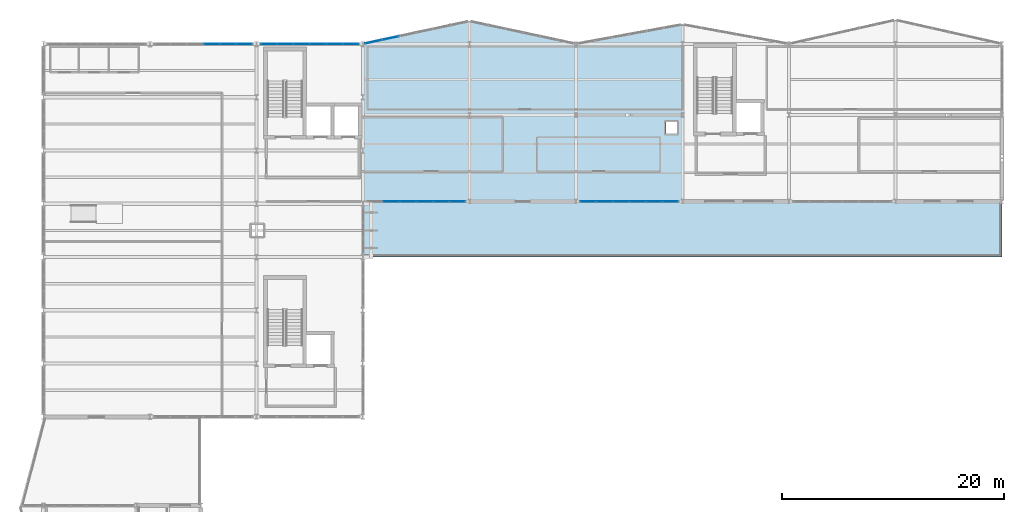
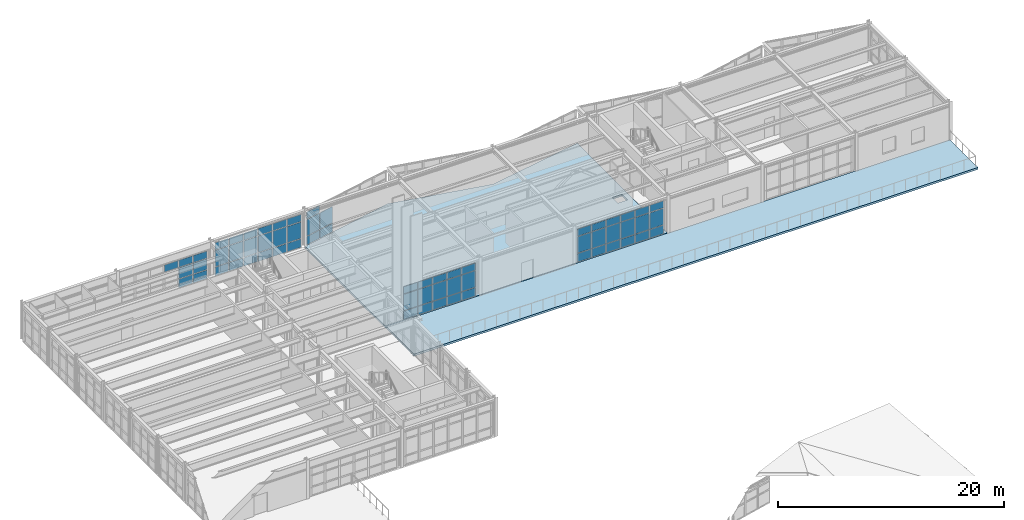
# One storey, part 34 of 47: 63 plates, 2 slabs, 5 elements without a shape of their own.
"""IFC4 building model written with IfcOpenShell, lengths in metres."""

from ifc_helpers import new_model, si_unit, direction, frame, origin, origin_2d, place, context, subcontext, project, spatial, polyline, rectangle, outline, extrude, material, layer, layer_set, type_object, element, aggregate, save


model = new_model("IFC4")

# Units and contexts
model_context = context("Model", 3, precision=1e-05, world=origin(), true_north=direction((0.0, 1.0)))
body_context = subcontext(model_context, "Body", "Model", "MODEL_VIEW")
ifc_project = project(units=[si_unit("LENGTHUNIT", "METRE"), si_unit("AREAUNIT", "SQUARE_METRE"), si_unit("VOLUMEUNIT", "CUBIC_METRE"), si_unit("PLANEANGLEUNIT", "RADIAN"), si_unit("MASSUNIT", "GRAM", prefix="KILO")], contexts=[model_context])

# Site, building, storey
site_placement = place(None, origin())
site = spatial("IfcSite", under=ifc_project, at=site_placement, CompositionType="ELEMENT")
building_placement = place(site_placement, origin())
building = spatial("IfcBuilding", under=site, at=building_placement, Name="Nordkorset Police Headquarters", CompositionType="ELEMENT")
storey_placement = place(building_placement, frame((0.0, 0.0, 22.050048828125)))
storey = spatial("IfcBuildingStorey", under=building, at=storey_placement, Name="L05", CompositionType="ELEMENT", Elevation=22.050048828125)

# Curtain wall, plates
ifc_material_1 = material(Name="Aluminium alloy AW-6060", Category="aluminium")
ifc_layer_1 = layer(ifc_material_1, 0.179931640625, Name="Aluminium alloy AW-6060")
ifc_layer_set_1 = layer_set([ifc_layer_1], Name="Aluminium alloy AW-6060")
curtain_wall_type_1 = type_object("IfcCurtainWallType", Name="CW_Unit_888x308", PredefinedType="USERDEFINED", material=ifc_layer_set_1)
curtain_wall_1_placement = place(storey_placement, origin())
curtain_wall_1 = element("IfcCurtainWall", 1, at=curtain_wall_1_placement, inside=storey, type_object=curtain_wall_type_1, Name="Unitised Curtain Wall L05 V1N-1", ObjectType="UNITISED CURTAIN WALL", PredefinedType="USERDEFINED")
ifc_material_2 = material(Name="Low-iron triple glazing", Category="glass")
ifc_layer_2 = layer(ifc_material_2, 0.035888671875, Name="Low-iron triple glazing")
ifc_layer_set_2 = layer_set([ifc_layer_2], Name="Low-iron triple glazing")
plate_type = type_object("IfcPlateType", Name="CW_Panel_TripleGlazing_36", PredefinedType="CURTAIN_PANEL", material=ifc_layer_set_2)
plate_1_placement = place(storey_placement, frame((15.139892578125, 116.800048828125, 2.262451171875), z_axis=(0.0, 0.0, 1.0), x_axis=(1.0, 0.0, 0.0)))
plate_1 = element("IfcPlate", 2, at=plate_1_placement, type_object=plate_type, Name="CW-81 panel 4.3", PredefinedType="CURTAIN_PANEL", context=body_context, shape_type="SweptSolid", body=[
    extrude(rectangle(XDim=1.4150390625, YDim=0.035888671875, at=origin_2d()), origin(), (0.0, 0.0, 1.0), 0.75244140625),
])
plate_2_placement = place(storey_placement, frame((16.6201171875, 116.800048828125, 0.06494140625), z_axis=(0.0, 0.0, 1.0), x_axis=(1.0, 0.0, 0.0)))
plate_2 = element("IfcPlate", 3, at=plate_2_placement, type_object=plate_type, Name="CW-81 panel 5.1", PredefinedType="CURTAIN_PANEL", context=body_context, shape_type="SweptSolid", body=[
    extrude(rectangle(XDim=1.4150390625, YDim=0.035888671875, at=origin_2d()), origin(), (0.0, 0.0, 1.0), 0.902587890625),
])
plate_3_placement = place(storey_placement, frame((16.6201171875, 116.800048828125, 1.032470703125), z_axis=(0.0, 0.0, 1.0), x_axis=(1.0, 0.0, 0.0)))
plate_3 = element("IfcPlate", 4, at=plate_3_placement, type_object=plate_type, Name="CW-81 panel 5.2", PredefinedType="CURTAIN_PANEL", context=body_context, shape_type="SweptSolid", body=[
    extrude(rectangle(XDim=1.4150390625, YDim=0.035888671875, at=origin_2d()), origin(), (0.0, 0.0, 1.0), 1.1650390625),
])
plate_4_placement = place(storey_placement, frame((16.6201171875, 116.800048828125, 2.262451171875), z_axis=(0.0, 0.0, 1.0), x_axis=(1.0, 0.0, 0.0)))
plate_4 = element("IfcPlate", 5, at=plate_4_placement, type_object=plate_type, Name="CW-81 panel 5.3", PredefinedType="CURTAIN_PANEL", context=body_context, shape_type="SweptSolid", body=[
    extrude(rectangle(XDim=1.4150390625, YDim=0.035888671875, at=origin_2d()), origin(), (0.0, 0.0, 1.0), 0.75244140625),
])
plate_5_placement = place(storey_placement, frame((18.083740234375, 116.800048828125, 0.06494140625), z_axis=(0.0, 0.0, 1.0), x_axis=(1.0, 0.0, 0.0)))
plate_5 = element("IfcPlate", 6, at=plate_5_placement, type_object=plate_type, Name="CW-81 panel 6.1", PredefinedType="CURTAIN_PANEL", context=body_context, shape_type="SweptSolid", body=[
    extrude(rectangle(XDim=1.382568359375, YDim=0.035888671875, at=origin_2d()), origin(), (0.0, 0.0, 1.0), 0.902587890625),
])
plate_6_placement = place(storey_placement, frame((18.083740234375, 116.800048828125, 1.032470703125), z_axis=(0.0, 0.0, 1.0), x_axis=(1.0, 0.0, 0.0)))
plate_6 = element("IfcPlate", 7, at=plate_6_placement, type_object=plate_type, Name="CW-81 panel 6.2", PredefinedType="CURTAIN_PANEL", context=body_context, shape_type="SweptSolid", body=[
    extrude(rectangle(XDim=1.382568359375, YDim=0.035888671875, at=origin_2d()), origin(), (0.0, 0.0, 1.0), 1.1650390625),
])
plate_7_placement = place(storey_placement, frame((18.083740234375, 116.800048828125, 2.262451171875), z_axis=(0.0, 0.0, 1.0), x_axis=(1.0, 0.0, 0.0)))
plate_7 = element("IfcPlate", 8, at=plate_7_placement, type_object=plate_type, Name="CW-81 panel 6.3", PredefinedType="CURTAIN_PANEL", context=body_context, shape_type="SweptSolid", body=[
    extrude(rectangle(XDim=1.382568359375, YDim=0.035888671875, at=origin_2d()), origin(), (0.0, 0.0, 1.0), 0.75244140625),
])
aggregate(curtain_wall_1, [plate_1, plate_2, plate_3, plate_4, plate_5, plate_6, plate_7])

ifc_material_3 = material(Name="Aluminium alloy AW-6060", Category="aluminium")
ifc_layer_3 = layer(ifc_material_3, 0.179931640625, Name="Aluminium alloy AW-6060")
ifc_layer_set_3 = layer_set([ifc_layer_3], Name="Aluminium alloy AW-6060")
curtain_wall_type_2 = type_object("IfcCurtainWallType", Name="CW_Unit_888x367", PredefinedType="USERDEFINED", material=ifc_layer_set_3)
curtain_wall_2_placement = place(storey_placement, origin())
curtain_wall_2 = element("IfcCurtainWall", 9, at=curtain_wall_2_placement, inside=storey, type_object=curtain_wall_type_2, Name="Unitised Curtain Wall L05 V1N-2", ObjectType="UNITISED CURTAIN WALL", PredefinedType="USERDEFINED")
plate_8_placement = place(storey_placement, frame((20.316162109375, 116.800048828125, 0.06494140625), z_axis=(0.0, 0.0, 1.0), x_axis=(1.0, 0.0, 0.0)))
plate_8 = element("IfcPlate", 10, at=plate_8_placement, type_object=plate_type, Name="CW-91 panel 1.1", PredefinedType="CURTAIN_PANEL", context=body_context, shape_type="SweptSolid", body=[
    extrude(rectangle(XDim=1.382568359375, YDim=0.035888671875, at=origin_2d()), origin(), (0.0, 0.0, 1.0), 0.902587890625),
])
plate_9_placement = place(storey_placement, frame((20.316162109375, 116.800048828125, 1.032470703125), z_axis=(0.0, 0.0, 1.0), x_axis=(1.0, 0.0, 0.0)))
plate_9 = element("IfcPlate", 11, at=plate_9_placement, type_object=plate_type, Name="CW-91 panel 1.2", PredefinedType="CURTAIN_PANEL", context=body_context, shape_type="SweptSolid", body=[
    extrude(rectangle(XDim=1.382568359375, YDim=0.035888671875, at=origin_2d()), origin(), (0.0, 0.0, 1.0), 1.7548828125),
])
plate_10_placement = place(storey_placement, frame((20.316162109375, 116.800048828125, 2.8525390625), z_axis=(0.0, 0.0, 1.0), x_axis=(1.0, 0.0, 0.0)))
plate_10 = element("IfcPlate", 12, at=plate_10_placement, type_object=plate_type, Name="CW-91 panel 1.3", PredefinedType="CURTAIN_PANEL", context=body_context, shape_type="SweptSolid", body=[
    extrude(rectangle(XDim=1.382568359375, YDim=0.035888671875, at=origin_2d()), origin(), (0.0, 0.0, 1.0), 0.75244140625),
])
plate_11_placement = place(storey_placement, frame((21.780029296875, 116.800048828125, 0.06494140625), z_axis=(0.0, 0.0, 1.0), x_axis=(1.0, 0.0, 0.0)))
plate_11 = element("IfcPlate", 13, at=plate_11_placement, type_object=plate_type, Name="CW-91 panel 2.1", PredefinedType="CURTAIN_PANEL", context=body_context, shape_type="SweptSolid", body=[
    extrude(rectangle(XDim=1.4150390625, YDim=0.035888671875, at=origin_2d()), origin(), (0.0, 0.0, 1.0), 0.902587890625),
])
plate_12_placement = place(storey_placement, frame((21.780029296875, 116.800048828125, 1.032470703125), z_axis=(0.0, 0.0, 1.0), x_axis=(1.0, 0.0, 0.0)))
plate_12 = element("IfcPlate", 14, at=plate_12_placement, type_object=plate_type, Name="CW-91 panel 2.2", PredefinedType="CURTAIN_PANEL", context=body_context, shape_type="SweptSolid", body=[
    extrude(rectangle(XDim=1.4150390625, YDim=0.035888671875, at=origin_2d()), origin(), (0.0, 0.0, 1.0), 1.7548828125),
])
plate_13_placement = place(storey_placement, frame((21.780029296875, 116.800048828125, 2.8525390625), z_axis=(0.0, 0.0, 1.0), x_axis=(1.0, 0.0, 0.0)))
plate_13 = element("IfcPlate", 15, at=plate_13_placement, type_object=plate_type, Name="CW-91 panel 2.3", PredefinedType="CURTAIN_PANEL", context=body_context, shape_type="SweptSolid", body=[
    extrude(rectangle(XDim=1.4150390625, YDim=0.035888671875, at=origin_2d()), origin(), (0.0, 0.0, 1.0), 0.75244140625),
])
plate_14_placement = place(storey_placement, frame((23.260009765625, 116.800048828125, 0.06494140625), z_axis=(0.0, 0.0, 1.0), x_axis=(1.0, 0.0, 0.0)))
plate_14 = element("IfcPlate", 16, at=plate_14_placement, type_object=plate_type, Name="CW-91 panel 3.1", PredefinedType="CURTAIN_PANEL", context=body_context, shape_type="SweptSolid", body=[
    extrude(rectangle(XDim=1.4150390625, YDim=0.035888671875, at=origin_2d()), origin(), (0.0, 0.0, 1.0), 0.902587890625),
])
plate_15_placement = place(storey_placement, frame((23.260009765625, 116.800048828125, 1.032470703125), z_axis=(0.0, 0.0, 1.0), x_axis=(1.0, 0.0, 0.0)))
plate_15 = element("IfcPlate", 17, at=plate_15_placement, type_object=plate_type, Name="CW-91 panel 3.2", PredefinedType="CURTAIN_PANEL", context=body_context, shape_type="SweptSolid", body=[
    extrude(rectangle(XDim=1.4150390625, YDim=0.035888671875, at=origin_2d()), origin(), (0.0, 0.0, 1.0), 1.7548828125),
])
plate_16_placement = place(storey_placement, frame((23.260009765625, 116.800048828125, 2.8525390625), z_axis=(0.0, 0.0, 1.0), x_axis=(1.0, 0.0, 0.0)))
plate_16 = element("IfcPlate", 18, at=plate_16_placement, type_object=plate_type, Name="CW-91 panel 3.3", PredefinedType="CURTAIN_PANEL", context=body_context, shape_type="SweptSolid", body=[
    extrude(rectangle(XDim=1.4150390625, YDim=0.035888671875, at=origin_2d()), origin(), (0.0, 0.0, 1.0), 0.75244140625),
])
plate_17_placement = place(storey_placement, frame((24.739990234375, 116.800048828125, 0.06494140625), z_axis=(0.0, 0.0, 1.0), x_axis=(1.0, 0.0, 0.0)))
plate_17 = element("IfcPlate", 19, at=plate_17_placement, type_object=plate_type, Name="CW-91 panel 4.1", PredefinedType="CURTAIN_PANEL", context=body_context, shape_type="SweptSolid", body=[
    extrude(rectangle(XDim=1.4150390625, YDim=0.035888671875, at=origin_2d()), origin(), (0.0, 0.0, 1.0), 0.902587890625),
])
plate_18_placement = place(storey_placement, frame((24.739990234375, 116.800048828125, 1.032470703125), z_axis=(0.0, 0.0, 1.0), x_axis=(1.0, 0.0, 0.0)))
plate_18 = element("IfcPlate", 20, at=plate_18_placement, type_object=plate_type, Name="CW-91 panel 4.2", PredefinedType="CURTAIN_PANEL", context=body_context, shape_type="SweptSolid", body=[
    extrude(rectangle(XDim=1.4150390625, YDim=0.035888671875, at=origin_2d()), origin(), (0.0, 0.0, 1.0), 1.7548828125),
])
plate_19_placement = place(storey_placement, frame((24.739990234375, 116.800048828125, 2.8525390625), z_axis=(0.0, 0.0, 1.0), x_axis=(1.0, 0.0, 0.0)))
plate_19 = element("IfcPlate", 21, at=plate_19_placement, type_object=plate_type, Name="CW-91 panel 4.3", PredefinedType="CURTAIN_PANEL", context=body_context, shape_type="SweptSolid", body=[
    extrude(rectangle(XDim=1.4150390625, YDim=0.035888671875, at=origin_2d()), origin(), (0.0, 0.0, 1.0), 0.75244140625),
])
plate_20_placement = place(storey_placement, frame((26.219970703125, 116.800048828125, 0.06494140625), z_axis=(0.0, 0.0, 1.0), x_axis=(1.0, 0.0, 0.0)))
plate_20 = element("IfcPlate", 22, at=plate_20_placement, type_object=plate_type, Name="CW-91 panel 5.1", PredefinedType="CURTAIN_PANEL", context=body_context, shape_type="SweptSolid", body=[
    extrude(rectangle(XDim=1.4150390625, YDim=0.035888671875, at=origin_2d()), origin(), (0.0, 0.0, 1.0), 0.902587890625),
])
plate_21_placement = place(storey_placement, frame((26.219970703125, 116.800048828125, 1.032470703125), z_axis=(0.0, 0.0, 1.0), x_axis=(1.0, 0.0, 0.0)))
plate_21 = element("IfcPlate", 23, at=plate_21_placement, type_object=plate_type, Name="CW-91 panel 5.2", PredefinedType="CURTAIN_PANEL", context=body_context, shape_type="SweptSolid", body=[
    extrude(rectangle(XDim=1.4150390625, YDim=0.035888671875, at=origin_2d()), origin(), (0.0, 0.0, 1.0), 1.7548828125),
])
plate_22_placement = place(storey_placement, frame((26.219970703125, 116.800048828125, 2.8525390625), z_axis=(0.0, 0.0, 1.0), x_axis=(1.0, 0.0, 0.0)))
plate_22 = element("IfcPlate", 24, at=plate_22_placement, type_object=plate_type, Name="CW-91 panel 5.3", PredefinedType="CURTAIN_PANEL", context=body_context, shape_type="SweptSolid", body=[
    extrude(rectangle(XDim=1.4150390625, YDim=0.035888671875, at=origin_2d()), origin(), (0.0, 0.0, 1.0), 0.75244140625),
])
plate_23_placement = place(storey_placement, frame((27.683837890625, 116.800048828125, 0.06494140625), z_axis=(0.0, 0.0, 1.0), x_axis=(1.0, 0.0, 0.0)))
plate_23 = element("IfcPlate", 25, at=plate_23_placement, type_object=plate_type, Name="CW-91 panel 6.1", PredefinedType="CURTAIN_PANEL", context=body_context, shape_type="SweptSolid", body=[
    extrude(rectangle(XDim=1.382568359375, YDim=0.035888671875, at=origin_2d()), origin(), (0.0, 0.0, 1.0), 0.902587890625),
])
plate_24_placement = place(storey_placement, frame((27.683837890625, 116.800048828125, 1.032470703125), z_axis=(0.0, 0.0, 1.0), x_axis=(1.0, 0.0, 0.0)))
plate_24 = element("IfcPlate", 26, at=plate_24_placement, type_object=plate_type, Name="CW-91 panel 6.2", PredefinedType="CURTAIN_PANEL", context=body_context, shape_type="SweptSolid", body=[
    extrude(rectangle(XDim=1.382568359375, YDim=0.035888671875, at=origin_2d()), origin(), (0.0, 0.0, 1.0), 1.7548828125),
])
plate_25_placement = place(storey_placement, frame((27.683837890625, 116.800048828125, 2.8525390625), z_axis=(0.0, 0.0, 1.0), x_axis=(1.0, 0.0, 0.0)))
plate_25 = element("IfcPlate", 27, at=plate_25_placement, type_object=plate_type, Name="CW-91 panel 6.3", PredefinedType="CURTAIN_PANEL", context=body_context, shape_type="SweptSolid", body=[
    extrude(rectangle(XDim=1.382568359375, YDim=0.035888671875, at=origin_2d()), origin(), (0.0, 0.0, 1.0), 0.75244140625),
])
aggregate(curtain_wall_2, [plate_8, plate_9, plate_10, plate_11, plate_12, plate_13, plate_14, plate_15, plate_16, plate_17, plate_18, plate_19, plate_20, plate_21, plate_22, plate_23, plate_24, plate_25])

ifc_material_4 = material(Name="Aluminium alloy AW-6060", Category="aluminium")
ifc_layer_4 = layer(ifc_material_4, 0.179931640625, Name="Aluminium alloy AW-6060")
ifc_layer_set_4 = layer_set([ifc_layer_4], Name="Aluminium alloy AW-6060")
curtain_wall_type_3 = type_object("IfcCurtainWallType", Name="CW_Unit_954x367", PredefinedType="USERDEFINED", material=ifc_layer_set_4)
curtain_wall_3_placement = place(storey_placement, origin())
curtain_wall_3 = element("IfcCurtainWall", 28, at=curtain_wall_3_placement, inside=storey, type_object=curtain_wall_type_3, Name="Unitised Curtain Wall L05 V2N-0", ObjectType="UNITISED CURTAIN WALL", PredefinedType="USERDEFINED")
plate_26_placement = place(storey_placement, frame((29.72998046875, 116.99853515625, 0.06494140625), z_axis=(0.0, 0.0, 1.0), x_axis=(0.977951416289, 0.208832534289, 0.0)))
plate_26 = element("IfcPlate", 29, at=plate_26_placement, type_object=plate_type, Name="CW-71 panel 1.1", PredefinedType="CURTAIN_PANEL", context=body_context, shape_type="SweptSolid", body=[
    extrude(rectangle(XDim=1.491943359375, YDim=0.035888671875, at=origin_2d()), origin(), (0.0, 0.0, 1.0), 0.902587890625),
])
plate_27_placement = place(storey_placement, frame((29.72998046875, 116.99853515625, 1.032470703125), z_axis=(0.0, 0.0, 1.0), x_axis=(0.977951416289, 0.208832534289, 0.0)))
plate_27 = element("IfcPlate", 30, at=plate_27_placement, type_object=plate_type, Name="CW-71 panel 1.2", PredefinedType="CURTAIN_PANEL", context=body_context, shape_type="SweptSolid", body=[
    extrude(rectangle(XDim=1.491943359375, YDim=0.035888671875, at=origin_2d()), origin(), (0.0, 0.0, 1.0), 1.7548828125),
])
plate_28_placement = place(storey_placement, frame((29.72998046875, 116.99853515625, 2.8525390625), z_axis=(0.0, 0.0, 1.0), x_axis=(0.977951416289, 0.208832534289, 0.0)))
plate_28 = element("IfcPlate", 31, at=plate_28_placement, type_object=plate_type, Name="CW-71 panel 1.3", PredefinedType="CURTAIN_PANEL", context=body_context, shape_type="SweptSolid", body=[
    extrude(rectangle(XDim=1.491943359375, YDim=0.035888671875, at=origin_2d()), origin(), (0.0, 0.0, 1.0), 0.75244140625),
])
plate_29_placement = place(storey_placement, frame((31.2685546875, 117.3271484375, 0.06494140625), z_axis=(0.0, 0.0, 1.0), x_axis=(0.977951416289, 0.208832534289, 0.0)))
plate_29 = element("IfcPlate", 32, at=plate_29_placement, type_object=plate_type, Name="CW-71 panel 2.1", PredefinedType="CURTAIN_PANEL", context=body_context, shape_type="SweptSolid", body=[
    extrude(rectangle(XDim=1.5244140625, YDim=0.035888671875, at=origin_2d()), origin(), (0.0, 0.0, 1.0), 0.902587890625),
])
plate_30_placement = place(storey_placement, frame((31.2685546875, 117.3271484375, 1.032470703125), z_axis=(0.0, 0.0, 1.0), x_axis=(0.977951416289, 0.208832534289, 0.0)))
plate_30 = element("IfcPlate", 33, at=plate_30_placement, type_object=plate_type, Name="CW-71 panel 2.2", PredefinedType="CURTAIN_PANEL", context=body_context, shape_type="SweptSolid", body=[
    extrude(rectangle(XDim=1.5244140625, YDim=0.035888671875, at=origin_2d()), origin(), (0.0, 0.0, 1.0), 1.7548828125),
])
aggregate(curtain_wall_3, [plate_26, plate_27, plate_28, plate_29, plate_30])

curtain_wall_4_placement = place(storey_placement, origin())
curtain_wall_4 = element("IfcCurtainWall", 34, at=curtain_wall_4_placement, inside=storey, type_object=curtain_wall_type_2, Name="Unitised Curtain Wall L05 V2S-0", ObjectType="UNITISED CURTAIN WALL", PredefinedType="USERDEFINED")
plate_31_placement = place(storey_placement, frame((31.3798828125, 102.60009765625, 0.06494140625), z_axis=(0.0, 0.0, 1.0), x_axis=(1.0, 0.0, 0.0)))
plate_31 = element("IfcPlate", 35, at=plate_31_placement, type_object=plate_type, Name="CW-91 panel 2.1", PredefinedType="CURTAIN_PANEL", context=body_context, shape_type="SweptSolid", body=[
    extrude(rectangle(XDim=1.4150390625, YDim=0.035888671875, at=origin_2d()), origin(), (0.0, 0.0, 1.0), 0.902587890625),
])
plate_32_placement = place(storey_placement, frame((31.3798828125, 102.60009765625, 1.032470703125), z_axis=(0.0, 0.0, 1.0), x_axis=(1.0, 0.0, 0.0)))
plate_32 = element("IfcPlate", 36, at=plate_32_placement, type_object=plate_type, Name="CW-91 panel 2.2", PredefinedType="CURTAIN_PANEL", context=body_context, shape_type="SweptSolid", body=[
    extrude(rectangle(XDim=1.4150390625, YDim=0.035888671875, at=origin_2d()), origin(), (0.0, 0.0, 1.0), 1.7548828125),
])
plate_33_placement = place(storey_placement, frame((31.3798828125, 102.60009765625, 2.8525390625), z_axis=(0.0, 0.0, 1.0), x_axis=(1.0, 0.0, 0.0)))
plate_33 = element("IfcPlate", 37, at=plate_33_placement, type_object=plate_type, Name="CW-91 panel 2.3", PredefinedType="CURTAIN_PANEL", context=body_context, shape_type="SweptSolid", body=[
    extrude(rectangle(XDim=1.4150390625, YDim=0.035888671875, at=origin_2d()), origin(), (0.0, 0.0, 1.0), 0.75244140625),
])
plate_34_placement = place(storey_placement, frame((32.860107421875, 102.60009765625, 0.06494140625), z_axis=(0.0, 0.0, 1.0), x_axis=(1.0, 0.0, 0.0)))
plate_34 = element("IfcPlate", 38, at=plate_34_placement, type_object=plate_type, Name="CW-91 panel 3.1", PredefinedType="CURTAIN_PANEL", context=body_context, shape_type="SweptSolid", body=[
    extrude(rectangle(XDim=1.4150390625, YDim=0.035888671875, at=origin_2d()), origin(), (0.0, 0.0, 1.0), 0.902587890625),
])
plate_35_placement = place(storey_placement, frame((32.860107421875, 102.60009765625, 1.032470703125), z_axis=(0.0, 0.0, 1.0), x_axis=(1.0, 0.0, 0.0)))
plate_35 = element("IfcPlate", 39, at=plate_35_placement, type_object=plate_type, Name="CW-91 panel 3.2", PredefinedType="CURTAIN_PANEL", context=body_context, shape_type="SweptSolid", body=[
    extrude(rectangle(XDim=1.4150390625, YDim=0.035888671875, at=origin_2d()), origin(), (0.0, 0.0, 1.0), 1.7548828125),
])
plate_36_placement = place(storey_placement, frame((32.860107421875, 102.60009765625, 2.8525390625), z_axis=(0.0, 0.0, 1.0), x_axis=(1.0, 0.0, 0.0)))
plate_36 = element("IfcPlate", 40, at=plate_36_placement, type_object=plate_type, Name="CW-91 panel 3.3", PredefinedType="CURTAIN_PANEL", context=body_context, shape_type="SweptSolid", body=[
    extrude(rectangle(XDim=1.4150390625, YDim=0.035888671875, at=origin_2d()), origin(), (0.0, 0.0, 1.0), 0.75244140625),
])
plate_37_placement = place(storey_placement, frame((34.340087890625, 102.60009765625, 0.06494140625), z_axis=(0.0, 0.0, 1.0), x_axis=(1.0, 0.0, 0.0)))
plate_37 = element("IfcPlate", 41, at=plate_37_placement, type_object=plate_type, Name="CW-91 panel 4.1", PredefinedType="CURTAIN_PANEL", context=body_context, shape_type="SweptSolid", body=[
    extrude(rectangle(XDim=1.4150390625, YDim=0.035888671875, at=origin_2d()), origin(), (0.0, 0.0, 1.0), 0.902587890625),
])
plate_38_placement = place(storey_placement, frame((34.340087890625, 102.60009765625, 1.032470703125), z_axis=(0.0, 0.0, 1.0), x_axis=(1.0, 0.0, 0.0)))
plate_38 = element("IfcPlate", 42, at=plate_38_placement, type_object=plate_type, Name="CW-91 panel 4.2", PredefinedType="CURTAIN_PANEL", context=body_context, shape_type="SweptSolid", body=[
    extrude(rectangle(XDim=1.4150390625, YDim=0.035888671875, at=origin_2d()), origin(), (0.0, 0.0, 1.0), 1.7548828125),
])
plate_39_placement = place(storey_placement, frame((34.340087890625, 102.60009765625, 2.8525390625), z_axis=(0.0, 0.0, 1.0), x_axis=(1.0, 0.0, 0.0)))
plate_39 = element("IfcPlate", 43, at=plate_39_placement, type_object=plate_type, Name="CW-91 panel 4.3", PredefinedType="CURTAIN_PANEL", context=body_context, shape_type="SweptSolid", body=[
    extrude(rectangle(XDim=1.4150390625, YDim=0.035888671875, at=origin_2d()), origin(), (0.0, 0.0, 1.0), 0.75244140625),
])
plate_40_placement = place(storey_placement, frame((35.820068359375, 102.60009765625, 0.06494140625), z_axis=(0.0, 0.0, 1.0), x_axis=(1.0, 0.0, 0.0)))
plate_40 = element("IfcPlate", 44, at=plate_40_placement, type_object=plate_type, Name="CW-91 panel 5.1", PredefinedType="CURTAIN_PANEL", context=body_context, shape_type="SweptSolid", body=[
    extrude(rectangle(XDim=1.4150390625, YDim=0.035888671875, at=origin_2d()), origin(), (0.0, 0.0, 1.0), 0.902587890625),
])
plate_41_placement = place(storey_placement, frame((35.820068359375, 102.60009765625, 1.032470703125), z_axis=(0.0, 0.0, 1.0), x_axis=(1.0, 0.0, 0.0)))
plate_41 = element("IfcPlate", 45, at=plate_41_placement, type_object=plate_type, Name="CW-91 panel 5.2", PredefinedType="CURTAIN_PANEL", context=body_context, shape_type="SweptSolid", body=[
    extrude(rectangle(XDim=1.4150390625, YDim=0.035888671875, at=origin_2d()), origin(), (0.0, 0.0, 1.0), 1.7548828125),
])
plate_42_placement = place(storey_placement, frame((35.820068359375, 102.60009765625, 2.8525390625), z_axis=(0.0, 0.0, 1.0), x_axis=(1.0, 0.0, 0.0)))
plate_42 = element("IfcPlate", 46, at=plate_42_placement, type_object=plate_type, Name="CW-91 panel 5.3", PredefinedType="CURTAIN_PANEL", context=body_context, shape_type="SweptSolid", body=[
    extrude(rectangle(XDim=1.4150390625, YDim=0.035888671875, at=origin_2d()), origin(), (0.0, 0.0, 1.0), 0.75244140625),
])
plate_43_placement = place(storey_placement, frame((37.28369140625, 102.60009765625, 0.06494140625), z_axis=(0.0, 0.0, 1.0), x_axis=(1.0, 0.0, 0.0)))
plate_43 = element("IfcPlate", 47, at=plate_43_placement, type_object=plate_type, Name="CW-91 panel 6.1", PredefinedType="CURTAIN_PANEL", context=body_context, shape_type="SweptSolid", body=[
    extrude(rectangle(XDim=1.382568359375, YDim=0.035888671875, at=origin_2d()), origin(), (0.0, 0.0, 1.0), 0.902587890625),
])
plate_44_placement = place(storey_placement, frame((37.28369140625, 102.60009765625, 1.032470703125), z_axis=(0.0, 0.0, 1.0), x_axis=(1.0, 0.0, 0.0)))
plate_44 = element("IfcPlate", 48, at=plate_44_placement, type_object=plate_type, Name="CW-91 panel 6.2", PredefinedType="CURTAIN_PANEL", context=body_context, shape_type="SweptSolid", body=[
    extrude(rectangle(XDim=1.382568359375, YDim=0.035888671875, at=origin_2d()), origin(), (0.0, 0.0, 1.0), 1.7548828125),
])
plate_45_placement = place(storey_placement, frame((37.28369140625, 102.60009765625, 2.8525390625), z_axis=(0.0, 0.0, 1.0), x_axis=(1.0, 0.0, 0.0)))
plate_45 = element("IfcPlate", 49, at=plate_45_placement, type_object=plate_type, Name="CW-91 panel 6.3", PredefinedType="CURTAIN_PANEL", context=body_context, shape_type="SweptSolid", body=[
    extrude(rectangle(XDim=1.382568359375, YDim=0.035888671875, at=origin_2d()), origin(), (0.0, 0.0, 1.0), 0.75244140625),
])
aggregate(curtain_wall_4, [plate_31, plate_32, plate_33, plate_34, plate_35, plate_36, plate_37, plate_38, plate_39, plate_40, plate_41, plate_42, plate_43, plate_44, plate_45])

curtain_wall_5_placement = place(storey_placement, origin())
curtain_wall_5 = element("IfcCurtainWall", 50, at=curtain_wall_5_placement, inside=storey, type_object=curtain_wall_type_2, Name="Unitised Curtain Wall L05 V2S-2", ObjectType="UNITISED CURTAIN WALL", PredefinedType="USERDEFINED")
plate_46_placement = place(storey_placement, frame((49.1162109375, 102.60009765625, 0.06494140625), z_axis=(0.0, 0.0, 1.0), x_axis=(1.0, 0.0, 0.0)))
plate_46 = element("IfcPlate", 51, at=plate_46_placement, type_object=plate_type, Name="CW-91 panel 1.1", PredefinedType="CURTAIN_PANEL", context=body_context, shape_type="SweptSolid", body=[
    extrude(rectangle(XDim=1.382568359375, YDim=0.035888671875, at=origin_2d()), origin(), (0.0, 0.0, 1.0), 0.902587890625),
])
plate_47_placement = place(storey_placement, frame((49.1162109375, 102.60009765625, 1.032470703125), z_axis=(0.0, 0.0, 1.0), x_axis=(1.0, 0.0, 0.0)))
plate_47 = element("IfcPlate", 52, at=plate_47_placement, type_object=plate_type, Name="CW-91 panel 1.2", PredefinedType="CURTAIN_PANEL", context=body_context, shape_type="SweptSolid", body=[
    extrude(rectangle(XDim=1.382568359375, YDim=0.035888671875, at=origin_2d()), origin(), (0.0, 0.0, 1.0), 1.7548828125),
])
plate_48_placement = place(storey_placement, frame((49.1162109375, 102.60009765625, 2.8525390625), z_axis=(0.0, 0.0, 1.0), x_axis=(1.0, 0.0, 0.0)))
plate_48 = element("IfcPlate", 53, at=plate_48_placement, type_object=plate_type, Name="CW-91 panel 1.3", PredefinedType="CURTAIN_PANEL", context=body_context, shape_type="SweptSolid", body=[
    extrude(rectangle(XDim=1.382568359375, YDim=0.035888671875, at=origin_2d()), origin(), (0.0, 0.0, 1.0), 0.75244140625),
])
plate_49_placement = place(storey_placement, frame((50.580078125, 102.60009765625, 0.06494140625), z_axis=(0.0, 0.0, 1.0), x_axis=(1.0, 0.0, 0.0)))
plate_49 = element("IfcPlate", 54, at=plate_49_placement, type_object=plate_type, Name="CW-91 panel 2.1", PredefinedType="CURTAIN_PANEL", context=body_context, shape_type="SweptSolid", body=[
    extrude(rectangle(XDim=1.4150390625, YDim=0.035888671875, at=origin_2d()), origin(), (0.0, 0.0, 1.0), 0.902587890625),
])
plate_50_placement = place(storey_placement, frame((50.580078125, 102.60009765625, 1.032470703125), z_axis=(0.0, 0.0, 1.0), x_axis=(1.0, 0.0, 0.0)))
plate_50 = element("IfcPlate", 55, at=plate_50_placement, type_object=plate_type, Name="CW-91 panel 2.2", PredefinedType="CURTAIN_PANEL", context=body_context, shape_type="SweptSolid", body=[
    extrude(rectangle(XDim=1.4150390625, YDim=0.035888671875, at=origin_2d()), origin(), (0.0, 0.0, 1.0), 1.7548828125),
])
plate_51_placement = place(storey_placement, frame((50.580078125, 102.60009765625, 2.8525390625), z_axis=(0.0, 0.0, 1.0), x_axis=(1.0, 0.0, 0.0)))
plate_51 = element("IfcPlate", 56, at=plate_51_placement, type_object=plate_type, Name="CW-91 panel 2.3", PredefinedType="CURTAIN_PANEL", context=body_context, shape_type="SweptSolid", body=[
    extrude(rectangle(XDim=1.4150390625, YDim=0.035888671875, at=origin_2d()), origin(), (0.0, 0.0, 1.0), 0.75244140625),
])
plate_52_placement = place(storey_placement, frame((52.06005859375, 102.60009765625, 0.06494140625), z_axis=(0.0, 0.0, 1.0), x_axis=(1.0, 0.0, 0.0)))
plate_52 = element("IfcPlate", 57, at=plate_52_placement, type_object=plate_type, Name="CW-91 panel 3.1", PredefinedType="CURTAIN_PANEL", context=body_context, shape_type="SweptSolid", body=[
    extrude(rectangle(XDim=1.4150390625, YDim=0.035888671875, at=origin_2d()), origin(), (0.0, 0.0, 1.0), 0.902587890625),
])
plate_53_placement = place(storey_placement, frame((52.06005859375, 102.60009765625, 1.032470703125), z_axis=(0.0, 0.0, 1.0), x_axis=(1.0, 0.0, 0.0)))
plate_53 = element("IfcPlate", 58, at=plate_53_placement, type_object=plate_type, Name="CW-91 panel 3.2", PredefinedType="CURTAIN_PANEL", context=body_context, shape_type="SweptSolid", body=[
    extrude(rectangle(XDim=1.4150390625, YDim=0.035888671875, at=origin_2d()), origin(), (0.0, 0.0, 1.0), 1.7548828125),
])
plate_54_placement = place(storey_placement, frame((52.06005859375, 102.60009765625, 2.8525390625), z_axis=(0.0, 0.0, 1.0), x_axis=(1.0, 0.0, 0.0)))
plate_54 = element("IfcPlate", 59, at=plate_54_placement, type_object=plate_type, Name="CW-91 panel 3.3", PredefinedType="CURTAIN_PANEL", context=body_context, shape_type="SweptSolid", body=[
    extrude(rectangle(XDim=1.4150390625, YDim=0.035888671875, at=origin_2d()), origin(), (0.0, 0.0, 1.0), 0.75244140625),
])
plate_55_placement = place(storey_placement, frame((53.5400390625, 102.60009765625, 0.06494140625), z_axis=(0.0, 0.0, 1.0), x_axis=(1.0, 0.0, 0.0)))
plate_55 = element("IfcPlate", 60, at=plate_55_placement, type_object=plate_type, Name="CW-91 panel 4.1", PredefinedType="CURTAIN_PANEL", context=body_context, shape_type="SweptSolid", body=[
    extrude(rectangle(XDim=1.4150390625, YDim=0.035888671875, at=origin_2d()), origin(), (0.0, 0.0, 1.0), 0.902587890625),
])
plate_56_placement = place(storey_placement, frame((53.5400390625, 102.60009765625, 1.032470703125), z_axis=(0.0, 0.0, 1.0), x_axis=(1.0, 0.0, 0.0)))
plate_56 = element("IfcPlate", 61, at=plate_56_placement, type_object=plate_type, Name="CW-91 panel 4.2", PredefinedType="CURTAIN_PANEL", context=body_context, shape_type="SweptSolid", body=[
    extrude(rectangle(XDim=1.4150390625, YDim=0.035888671875, at=origin_2d()), origin(), (0.0, 0.0, 1.0), 1.7548828125),
])
plate_57_placement = place(storey_placement, frame((53.5400390625, 102.60009765625, 2.8525390625), z_axis=(0.0, 0.0, 1.0), x_axis=(1.0, 0.0, 0.0)))
plate_57 = element("IfcPlate", 62, at=plate_57_placement, type_object=plate_type, Name="CW-91 panel 4.3", PredefinedType="CURTAIN_PANEL", context=body_context, shape_type="SweptSolid", body=[
    extrude(rectangle(XDim=1.4150390625, YDim=0.035888671875, at=origin_2d()), origin(), (0.0, 0.0, 1.0), 0.75244140625),
])
plate_58_placement = place(storey_placement, frame((55.02001953125, 102.60009765625, 0.06494140625), z_axis=(0.0, 0.0, 1.0), x_axis=(1.0, 0.0, 0.0)))
plate_58 = element("IfcPlate", 63, at=plate_58_placement, type_object=plate_type, Name="CW-91 panel 5.1", PredefinedType="CURTAIN_PANEL", context=body_context, shape_type="SweptSolid", body=[
    extrude(rectangle(XDim=1.4150390625, YDim=0.035888671875, at=origin_2d()), origin(), (0.0, 0.0, 1.0), 0.902587890625),
])
plate_59_placement = place(storey_placement, frame((55.02001953125, 102.60009765625, 1.032470703125), z_axis=(0.0, 0.0, 1.0), x_axis=(1.0, 0.0, 0.0)))
plate_59 = element("IfcPlate", 64, at=plate_59_placement, type_object=plate_type, Name="CW-91 panel 5.2", PredefinedType="CURTAIN_PANEL", context=body_context, shape_type="SweptSolid", body=[
    extrude(rectangle(XDim=1.4150390625, YDim=0.035888671875, at=origin_2d()), origin(), (0.0, 0.0, 1.0), 1.7548828125),
])
plate_60_placement = place(storey_placement, frame((55.02001953125, 102.60009765625, 2.8525390625), z_axis=(0.0, 0.0, 1.0), x_axis=(1.0, 0.0, 0.0)))
plate_60 = element("IfcPlate", 65, at=plate_60_placement, type_object=plate_type, Name="CW-91 panel 5.3", PredefinedType="CURTAIN_PANEL", context=body_context, shape_type="SweptSolid", body=[
    extrude(rectangle(XDim=1.4150390625, YDim=0.035888671875, at=origin_2d()), origin(), (0.0, 0.0, 1.0), 0.75244140625),
])
plate_61_placement = place(storey_placement, frame((56.483642578125, 102.60009765625, 0.06494140625), z_axis=(0.0, 0.0, 1.0), x_axis=(1.0, 0.0, 0.0)))
plate_61 = element("IfcPlate", 66, at=plate_61_placement, type_object=plate_type, Name="CW-91 panel 6.1", PredefinedType="CURTAIN_PANEL", context=body_context, shape_type="SweptSolid", body=[
    extrude(rectangle(XDim=1.382568359375, YDim=0.035888671875, at=origin_2d()), origin(), (0.0, 0.0, 1.0), 0.902587890625),
])
plate_62_placement = place(storey_placement, frame((56.483642578125, 102.60009765625, 1.032470703125), z_axis=(0.0, 0.0, 1.0), x_axis=(1.0, 0.0, 0.0)))
plate_62 = element("IfcPlate", 67, at=plate_62_placement, type_object=plate_type, Name="CW-91 panel 6.2", PredefinedType="CURTAIN_PANEL", context=body_context, shape_type="SweptSolid", body=[
    extrude(rectangle(XDim=1.382568359375, YDim=0.035888671875, at=origin_2d()), origin(), (0.0, 0.0, 1.0), 1.7548828125),
])
plate_63_placement = place(storey_placement, frame((56.483642578125, 102.60009765625, 2.8525390625), z_axis=(0.0, 0.0, 1.0), x_axis=(1.0, 0.0, 0.0)))
plate_63 = element("IfcPlate", 68, at=plate_63_placement, type_object=plate_type, Name="CW-91 panel 6.3", PredefinedType="CURTAIN_PANEL", context=body_context, shape_type="SweptSolid", body=[
    extrude(rectangle(XDim=1.382568359375, YDim=0.035888671875, at=origin_2d()), origin(), (0.0, 0.0, 1.0), 0.75244140625),
])
aggregate(curtain_wall_5, [plate_46, plate_47, plate_48, plate_49, plate_50, plate_51, plate_52, plate_53, plate_54, plate_55, plate_56, plate_57, plate_58, plate_59, plate_60, plate_61, plate_62, plate_63])

# Slabs
ifc_material_5 = material(Name="Concrete C35/45", Category="concrete")
ifc_layer_5 = layer(ifc_material_5, 0.2099609375, Name="Concrete C35/45")
ifc_layer_set_5 = layer_set([ifc_layer_5], Name="Concrete C35/45")
slab_type_1 = type_object("IfcSlabType", Name="Slab_Office_210", PredefinedType="FLOOR", material=ifc_layer_set_5)
slab_1_placement = place(storey_placement, frame((0.0, 0.0, -0.2099609375)))
element("IfcSlab", 69, at=slab_1_placement, inside=storey, type_object=slab_type_1, Name="Composite Floor Slab V2 West L05", PredefinedType="FLOOR", context=body_context, shape_type="SweptSolid", body=[
    extrude(outline(polyline([(28.802001953125, 116.800048828125), (38.39990234375, 118.85009765625), (48.0, 116.800048828125), (57.60009765625, 118.550048828125), (57.60009765625, 102.60009765625), (28.802001953125, 102.60009765625), (28.802001953125, 116.800048828125)]), holes=[polyline([(57.10009765625, 109.75), (56.10009765625, 109.75), (56.10009765625, 108.75), (57.10009765625, 108.75), (57.10009765625, 109.75)])]), origin(), (0.0, 0.0, 1.0), 0.2099609375),
])
ifc_material_6 = material(Name="Concrete C35/45", Category="concrete")
ifc_layer_6 = layer(ifc_material_6, 0.215087890625, Name="Concrete C35/45")
ifc_layer_set_6 = layer_set([ifc_layer_6], Name="Concrete C35/45")
slab_type_2 = type_object("IfcSlabType", Name="Slab_Terrace_215", PredefinedType="FLOOR", material=ifc_layer_set_6)
slab_2_placement = place(storey_placement, frame((0.0, 0.0, -0.215087890625)))
element("IfcSlab", 70, at=slab_2_placement, inside=storey, type_object=slab_type_2, Name="Planted North Wing Setback Terrace", PredefinedType="FLOOR", context=body_context, shape_type="SweptSolid", body=[
    extrude(outline(polyline([(28.85009765625, 97.60009765625), (86.39990234375, 97.60009765625), (86.39990234375, 102.550048828125), (28.85009765625, 102.550048828125), (28.85009765625, 97.60009765625)])), origin(), (0.0, 0.0, 1.0), 0.215087890625),
])

save(model, "model.ifc")
